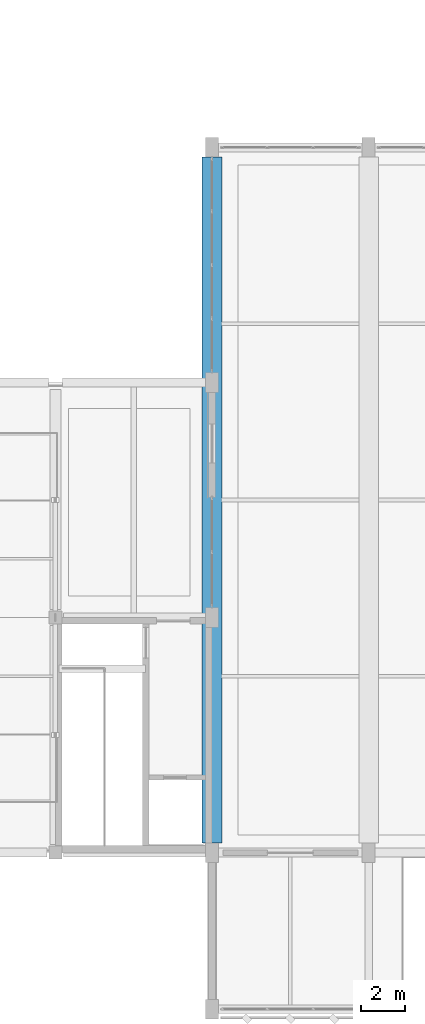
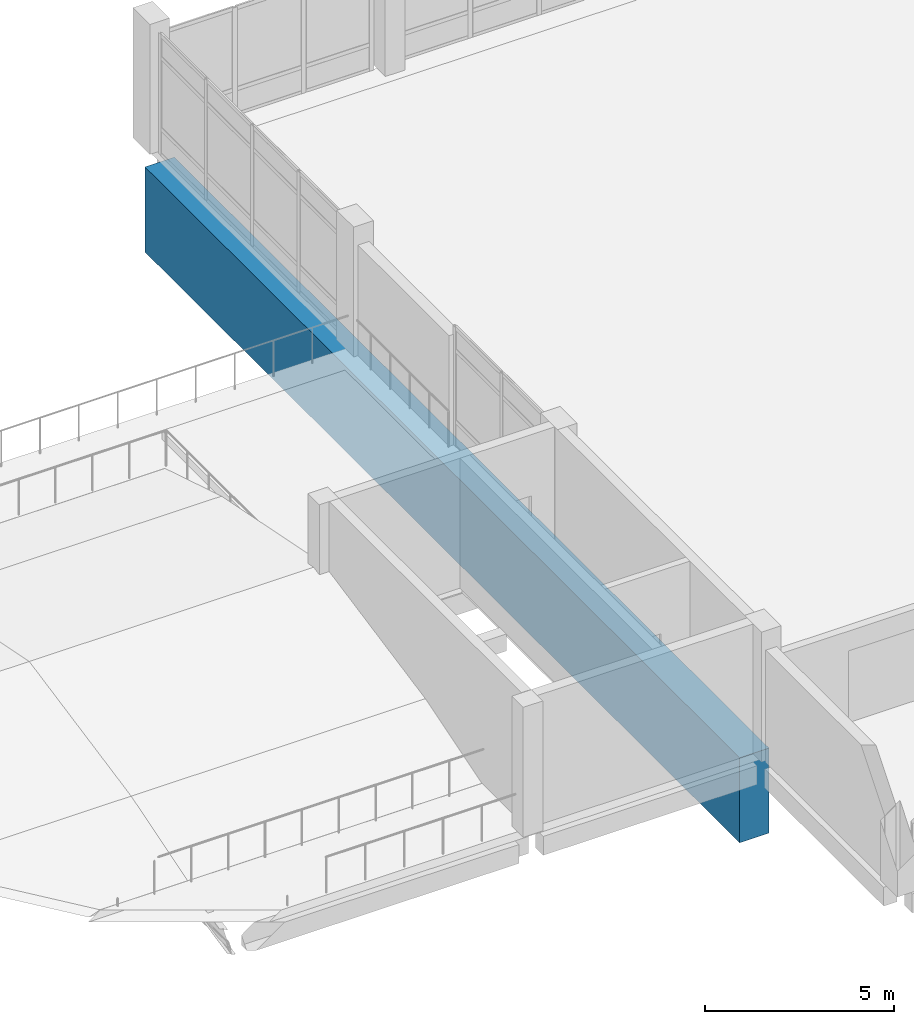
# One storey, part 23 of 158: 1 beam.
"""IFC4 building model written with IfcOpenShell, lengths in metres."""

from ifc_helpers import new_model, si_unit, direction, frame, origin, origin_2d, place, context, subcontext, project, spatial, rectangle, extrude, material, material_profile, profile_set, type_object, element, save


model = new_model("IFC4")

# Units and contexts
model_context = context("Model", 3, precision=1e-05, world=origin(), true_north=direction((0.0, 1.0)))
body_context = subcontext(model_context, "Body", "Model", "MODEL_VIEW")
ifc_project = project(units=[si_unit("LENGTHUNIT", "METRE"), si_unit("AREAUNIT", "SQUARE_METRE"), si_unit("VOLUMEUNIT", "CUBIC_METRE"), si_unit("PLANEANGLEUNIT", "RADIAN"), si_unit("MASSUNIT", "GRAM", prefix="KILO")], contexts=[model_context])

# Site, building, storey
site_placement = place(None, origin())
site = spatial("IfcSite", under=ifc_project, at=site_placement, CompositionType="ELEMENT")
building_placement = place(site_placement, origin())
building = spatial("IfcBuilding", under=site, at=building_placement, Name="Lusvemor Sports Hall", CompositionType="ELEMENT")
storey_placement = place(building_placement, frame((0.0, 0.0, 10.800048828125)))
storey = spatial("IfcBuildingStorey", under=building, at=storey_placement, Name="L02", CompositionType="ELEMENT", Elevation=10.800048828125)

# Beam
ifc_material = material(Name="Post-tensioned concrete C50/60", Category="concrete")
ifc_material_profile = material_profile(ifc_material, rectangle(XDim=0.89990234375, YDim=2.75, at=origin_2d()), Name="PT900x2750")
ifc_profile_set = profile_set([ifc_material_profile], Name="Post-tensioned concrete C50/60")
beam_type = type_object("IfcBeamType", Name="PTG_COURT_2750", PredefinedType="T_BEAM", material=ifc_profile_set)
beam_placement = place(storey_placement, frame((118.800048828125, 7.64501953125, -1.72509765625), z_axis=(0.0, 1.0, 0.0), x_axis=(-1.0, 0.0, 0.0)))
element("IfcBeam", 1, at=beam_placement, inside=storey, type_object=beam_type, Name="Post-Tensioned Transfer Girder 13 (L02)", PredefinedType="T_BEAM", context=body_context, shape_type="SweptSolid", body=[
    extrude(rectangle(XDim=0.89990234375, YDim=2.75, at=origin_2d()), origin(), (0.0, 0.0, 1.0), 31.510009765625),
])

save(model, "model.ifc")
